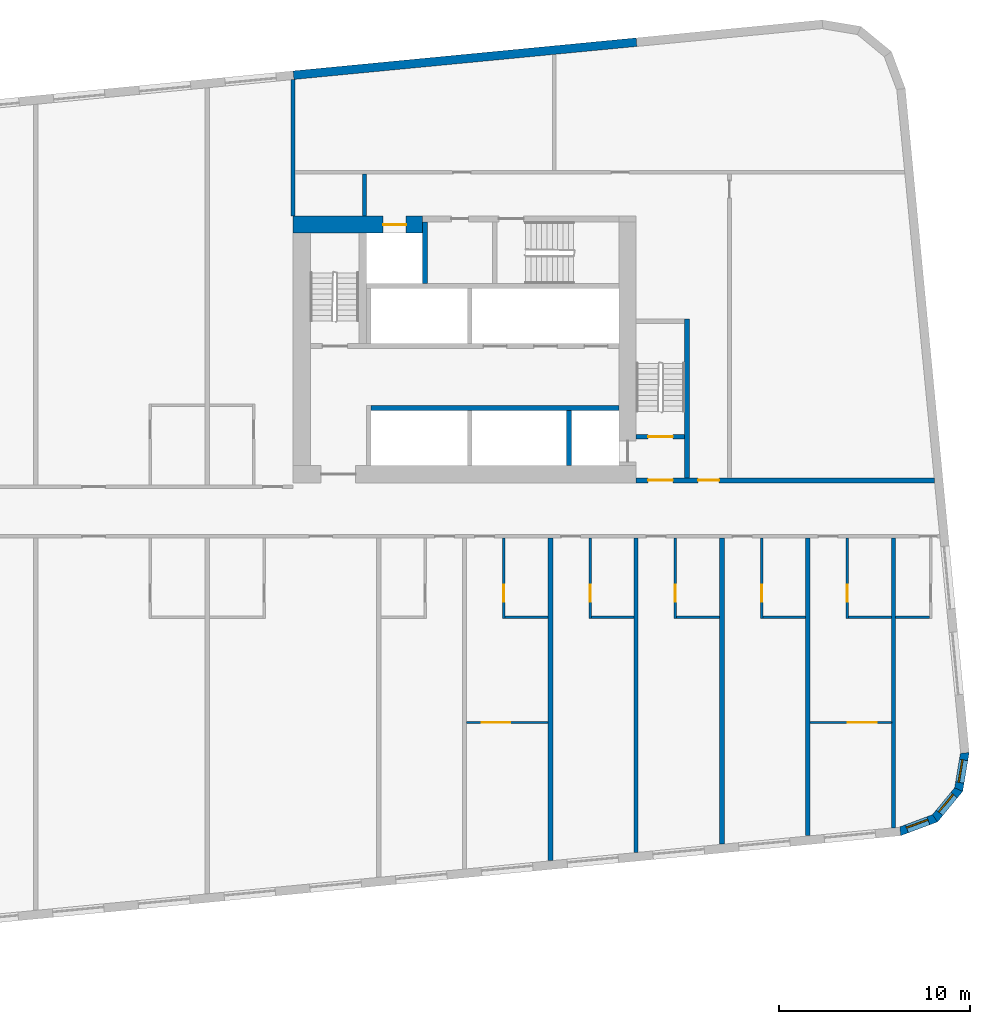
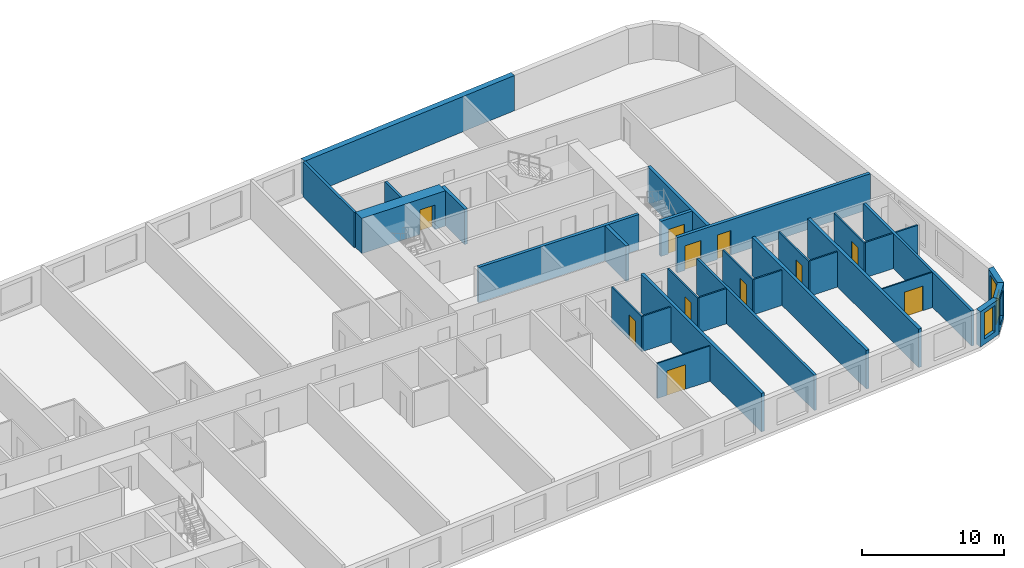
# One storey, part 7 of 12: 31 walls, 11 doors, 3 windows, 14 openings.
"""IFC4 building model written with IfcOpenShell, lengths in metres."""

from ifc_helpers import new_model, si_unit, direction, frame, frame_2d, origin, place, context, subcontext, project, spatial, polyline, rectangle, outline, extrude, material, layer, layer_set, type_object, element, fill, save


model = new_model("IFC4")

# Units and contexts
model_context = context("Model", 3, precision=1e-05, world=origin(), true_north=direction((0.0, 1.0)))
body_context = subcontext(model_context, "Body", "Model", "MODEL_VIEW")
ifc_project = project(units=[si_unit("LENGTHUNIT", "METRE"), si_unit("AREAUNIT", "SQUARE_METRE"), si_unit("VOLUMEUNIT", "CUBIC_METRE"), si_unit("PLANEANGLEUNIT", "RADIAN"), si_unit("MASSUNIT", "GRAM", prefix="KILO")], contexts=[model_context])

# Site, building, storey
site_placement = place(None, origin())
site = spatial("IfcSite", under=ifc_project, at=site_placement, CompositionType="ELEMENT")
building_placement = place(site_placement, origin())
building = spatial("IfcBuilding", under=site, at=building_placement, Name="Kajstack Hotel Tower", CompositionType="ELEMENT")
storey_placement = place(building_placement, frame((0.0, 0.0, 127.300048828125)))
storey = spatial("IfcBuildingStorey", under=building, at=storey_placement, Name="L28", CompositionType="ELEMENT", Elevation=127.300048828125)

# Wall, opening, door
ifc_material_1 = material(Name="Concrete C60/75", Category="concrete")
ifc_layer_1 = layer(ifc_material_1, 0.89990234375)
ifc_layer_set_1 = layer_set([ifc_layer_1], Name="Core wall 900")
wall_type_1 = type_object("IfcWallType", Name="Core wall 900", PredefinedType="SHEAR", material=ifc_layer_set_1)
wall_1_placement = place(storey_placement, frame((13.5, 15.050048828125, 0.0), z_axis=(0.0, 0.0, 1.0), x_axis=(1.0, 0.0, 0.0)))
wall_1 = element("IfcWall", 1, at=wall_1_placement, inside=storey, type_object=wall_type_1, Name="Core wall E RS", PredefinedType="SHEAR", context=body_context, shape_type="SweptSolid", body=[
    extrude(rectangle(XDim=6.800048828125, YDim=0.89990234375, at=frame_2d((3.39990234375, 0.0))), origin(), (0.0, 0.0, 1.0), 3.02001953125),
])
opening_1_placement = place(wall_1_placement, frame((4.72509765625, 0.0, 0.0)))
opening_1 = element("IfcOpeningElement", 2, at=opening_1_placement, cuts=wall_1, Name="Opening LD-SV2", PredefinedType="OPENING", context=body_context, shape_type="SweptSolid", body=[
    extrude(rectangle(XDim=1.199951171875, YDim=2.10009765625, at=frame_2d((0.60009765625, 1.050048828125))), frame((0.0, 0.4599609375, 0.0), z_axis=(0.0, -1.0, 0.0), x_axis=(1.0, 0.0, 0.0)), (0.0, 0.0, 1.0), 0.919921875),
])
ifc_material_2 = material(Name="Stainless steel", Category="steel")
door_type_1 = type_object("IfcDoorType", Name="Lift landing door 1200", OperationType="SLIDING_TO_LEFT", PredefinedType="DOOR", material=ifc_material_2)
door_1_placement = place(opening_1_placement, origin())
door_1 = element("IfcDoor", 3, at=door_1_placement, inside=storey, type_object=door_type_1, Name="Landing door SV2", OperationType="SLIDING_TO_LEFT", OverallHeight=2.10009765625, OverallWidth=1.199951171875, PredefinedType="DOOR", context=body_context, shape_type="SweptSolid", body=[
    extrude(rectangle(XDim=1.199951171875, YDim=2.10009765625, at=frame_2d((0.60009765625, 1.050048828125))), frame((0.0, 0.02490234375, 0.0), z_axis=(0.0, -1.0, 0.0), x_axis=(1.0, 0.0, 0.0)), (0.0, 0.0, 1.0), 0.050048828125),
])
fill(opening_1, door_1)

# Walls
ifc_material_3 = material(Name="Twin-frame gypsum board on steel studs, mineral wool", Category="steel")
ifc_layer_2 = layer(ifc_material_3, 0.199951171875)
ifc_layer_set_2 = layer_set([ifc_layer_2], Name="Demising wall 200")
wall_type_2 = type_object("IfcWallType", Name="Demising wall 200", PredefinedType="PARTITIONING", material=ifc_layer_set_2)
wall_2_placement = place(storey_placement, frame((13.5, 15.5, 0.0), z_axis=(0.0, 0.0, 1.0), x_axis=(0.0, 1.0, 0.0)))
element("IfcWall", 4, at=wall_2_placement, inside=storey, type_object=wall_type_2, Name="G-wall-L28-001", PredefinedType="PARTITIONING", context=body_context, shape_type="SweptSolid", body=[
    extrude(rectangle(XDim=7.162109375, YDim=0.199951171875, at=frame_2d((3.5810546875, 0.0))), origin(), (0.0, 0.0, 1.0), 3.02001953125),
])
wall_3_placement = place(storey_placement, frame((31.5, -17.89892578125, 0.0), z_axis=(0.0, 0.0, 1.0), x_axis=(0.0, 1.0, 0.0)))
element("IfcWall", 5, at=wall_3_placement, inside=storey, type_object=wall_type_2, Name="G-wall-L28-041", PredefinedType="PARTITIONING", context=body_context, shape_type="SweptSolid", body=[
    extrude(rectangle(XDim=16.4990234375, YDim=0.199951171875, at=frame_2d((8.24951171875, 0.0))), origin(), (0.0, 0.0, 1.0), 3.02001953125),
])
wall_4_placement = place(storey_placement, frame((45.0, -16.59912109375, 0.0), z_axis=(0.0, 0.0, 1.0), x_axis=(0.0, 1.0, 0.0)))
element("IfcWall", 6, at=wall_4_placement, inside=storey, type_object=wall_type_2, Name="G-wall-L28-048", PredefinedType="PARTITIONING", context=body_context, shape_type="SweptSolid", body=[
    extrude(rectangle(XDim=15.19921875, YDim=0.199951171875, at=frame_2d((7.599609375, 0.0))), origin(), (0.0, 0.0, 1.0), 3.02001953125),
])
ifc_material_4 = material(Name="Concrete C40/50", Category="concrete")
ifc_layer_3 = layer(ifc_material_4, 0.449951171875)
ifc_layer_set_3 = layer_set([ifc_layer_3], Name="EW-CORE")
wall_type_3 = type_object("IfcWallType", Name="EW-CORE", PredefinedType="SOLIDWALL", material=ifc_layer_set_3)
wall_5_placement = place(storey_placement, frame((31.521484375, 24.623291015625, 0.0), z_axis=(0.0, 0.0, 1.0), x_axis=(-0.995396454615, -0.095843091245, 0.0)))
element("IfcWall", 7, at=wall_5_placement, inside=storey, type_object=wall_type_3, Name="E-wall-L28-12-01", PredefinedType="SOLIDWALL", context=body_context, shape_type="SweptSolid", body=[
    extrude(rectangle(XDim=18.083251953125, YDim=0.449951171875, at=frame_2d((9.04150390625, 0.0))), origin(), (0.0, 0.0, 1.0), 3.02001953125),
])

# Wall, opening, window
ifc_material_5 = material(Name="Terracotta-faced brick masonry", Category="masonry")
ifc_layer_4 = layer(ifc_material_5, 0.449951171875)
ifc_layer_set_4 = layer_set([ifc_layer_4], Name="EW-TERRA")
wall_type_4 = type_object("IfcWallType", Name="EW-TERRA", PredefinedType="SOLIDWALL", material=ifc_layer_set_4)
wall_6_placement = place(storey_placement, frame((45.300048828125, -16.804443359375, 0.0), z_axis=(0.0, 0.0, 1.0), x_axis=(0.936677599948, 0.350192909346, 0.0)))
wall_6 = element("IfcWall", 8, at=wall_6_placement, inside=storey, type_object=wall_type_4, Name="E-wall-L28-05-00", PredefinedType="SOLIDWALL", context=body_context, shape_type="SweptSolid", body=[
    extrude(outline(polyline([(0.0, -0.224853515625), (2.070556640625, -0.224853515625), (1.949951171875, 0.22509765625), (0.12060546875, 0.22509765625), (0.0, -0.224853515625)])), origin(), (0.0, 0.0, 1.0), 3.02001953125),
])
opening_2_placement = place(wall_6_placement, frame((0.435302734375, 0.0, 0.449951171875)))
opening_2 = element("IfcOpeningElement", 9, at=opening_2_placement, cuts=wall_6, Name="Opening W3", PredefinedType="OPENING", context=body_context, shape_type="SweptSolid", body=[
    extrude(rectangle(XDim=1.199951171875, YDim=2.25, at=frame_2d((0.60009765625, 1.125))), frame((0.0, 0.23486328125, 0.0), z_axis=(0.0, -1.0, 0.0), x_axis=(1.0, 0.0, 0.0)), (0.0, 0.0, 1.0), 0.469970703125),
])
ifc_material_6 = material(Name="Timber-aluminium window, triple glazed", Category="wood")
window_type = type_object("IfcWindowType", Name="WG3", PartitioningType="SINGLE_PANEL", PredefinedType="WINDOW", material=ifc_material_6)
window_1_placement = place(opening_2_placement, origin())
window_1 = element("IfcWindow", 10, at=window_1_placement, inside=storey, type_object=window_type, Name="Window W3 L28-05", OverallHeight=2.25, OverallWidth=1.199951171875, PartitioningType="SINGLE_PANEL", PredefinedType="WINDOW", context=body_context, shape_type="SweptSolid", body=[
    extrude(rectangle(XDim=1.199951171875, YDim=2.25, at=frame_2d((0.60009765625, 1.125))), frame((0.0, 0.090087890625, 0.0), z_axis=(0.0, -1.0, 0.0), x_axis=(1.0, 0.0, 0.0)), (0.0, 0.0, 1.0), 0.06005859375),
])
fill(opening_2, window_1)

wall_7_placement = place(storey_placement, frame((47.144775390625, -16.14697265625, 0.0), z_axis=(0.0, 0.0, 1.0), x_axis=(0.635988241739, 0.771698747161, 0.0)))
wall_7 = element("IfcWall", 11, at=wall_7_placement, inside=storey, type_object=wall_type_4, Name="E-wall-L28-06-00", PredefinedType="SOLIDWALL", context=body_context, shape_type="SweptSolid", body=[
    extrude(outline(polyline([(0.0, -0.224853515625), (2.070556640625, -0.22509765625), (1.949951171875, 0.224853515625), (0.12060546875, 0.22509765625), (0.0, -0.224853515625)])), origin(), (0.0, 0.0, 1.0), 3.02001953125),
])
opening_3_placement = place(wall_7_placement, frame((0.435302734375, 0.0, 0.449951171875)))
opening_3 = element("IfcOpeningElement", 12, at=opening_3_placement, cuts=wall_7, Name="Opening W3", PredefinedType="OPENING", context=body_context, shape_type="SweptSolid", body=[
    extrude(rectangle(XDim=1.199951171875, YDim=2.25, at=frame_2d((0.60009765625, 1.125))), frame((0.0, 0.23486328125, 0.0), z_axis=(0.0, -1.0, 0.0), x_axis=(1.0, 0.0, 0.0)), (0.0, 0.0, 1.0), 0.469970703125),
])
window_2_placement = place(opening_3_placement, origin())
window_2 = element("IfcWindow", 13, at=window_2_placement, inside=storey, type_object=window_type, Name="Window W3 L28-06", OverallHeight=2.25, OverallWidth=1.199951171875, PartitioningType="SINGLE_PANEL", PredefinedType="WINDOW", context=body_context, shape_type="SweptSolid", body=[
    extrude(rectangle(XDim=1.199951171875, YDim=2.25, at=frame_2d((0.60009765625, 1.125))), frame((0.0, 0.090087890625, 0.0), z_axis=(0.0, -1.0, 0.0), x_axis=(1.0, 0.0, 0.0)), (0.0, 0.0, 1.0), 0.06005859375),
])
fill(opening_3, window_2)

wall_8_placement = place(storey_placement, frame((48.413330078125, -14.6552734375, 0.0), z_axis=(0.0, 0.0, 1.0), x_axis=(0.165068144653, 0.986282164302, 0.0)))
wall_8 = element("IfcWall", 14, at=wall_8_placement, inside=storey, type_object=wall_type_4, Name="E-wall-L28-07-00", PredefinedType="SOLIDWALL", context=body_context, shape_type="SweptSolid", body=[
    extrude(outline(polyline([(0.0, -0.22509765625), (2.07080078125, -0.224853515625), (1.9501953125, 0.22509765625), (0.12060546875, 0.224853515625), (0.0, -0.22509765625)])), origin(), (0.0, 0.0, 1.0), 3.02001953125),
])
opening_4_placement = place(wall_8_placement, frame((0.435302734375, 0.0, 0.449951171875)))
opening_4 = element("IfcOpeningElement", 15, at=opening_4_placement, cuts=wall_8, Name="Opening W3", PredefinedType="OPENING", context=body_context, shape_type="SweptSolid", body=[
    extrude(rectangle(XDim=1.199951171875, YDim=2.25, at=frame_2d((0.60009765625, 1.125))), frame((0.0, 0.23486328125, 0.0), z_axis=(0.0, -1.0, 0.0), x_axis=(1.0, 0.0, 0.0)), (0.0, 0.0, 1.0), 0.469970703125),
])
window_3_placement = place(opening_4_placement, origin())
window_3 = element("IfcWindow", 16, at=window_3_placement, inside=storey, type_object=window_type, Name="Window W3 L28-07", OverallHeight=2.25, OverallWidth=1.199951171875, PartitioningType="SINGLE_PANEL", PredefinedType="WINDOW", context=body_context, shape_type="SweptSolid", body=[
    extrude(rectangle(XDim=1.199951171875, YDim=2.25, at=frame_2d((0.60009765625, 1.125))), frame((0.0, 0.090087890625, 0.0), z_axis=(0.0, -1.0, 0.0), x_axis=(1.0, 0.0, 0.0)), (0.0, 0.0, 1.0), 0.06005859375),
])
fill(opening_4, window_3)

# Wall, opening, door
ifc_material_7 = material(Name="Gypsum board and tiled backer on steel studs", Category="steel")
ifc_layer_5 = layer(ifc_material_7, 0.125)
ifc_layer_set_5 = layer_set([ifc_layer_5], Name="En-suite wall 125")
wall_type_5 = type_object("IfcWallType", Name="En-suite wall 125", PredefinedType="PARTITIONING", material=ifc_layer_set_5)
wall_9_placement = place(storey_placement, frame((24.56201171875, -5.625, 0.0), z_axis=(0.0, 0.0, 1.0), x_axis=(0.0, 1.0, 0.0)))
wall_9 = element("IfcWall", 17, at=wall_9_placement, inside=storey, type_object=wall_type_5, Name="G-wall-L28-038", PredefinedType="PARTITIONING", context=body_context, shape_type="SweptSolid", body=[
    extrude(rectangle(XDim=4.22509765625, YDim=0.125, at=frame_2d((2.112548828125, 0.0))), origin(), (0.0, 0.0, 1.0), 3.02001953125),
])
opening_5_placement = place(wall_9_placement, frame((0.875, 0.0, 0.0)))
opening_5 = element("IfcOpeningElement", 18, at=opening_5_placement, cuts=wall_9, Name="Opening 28032", PredefinedType="OPENING", context=body_context, shape_type="SweptSolid", body=[
    extrude(rectangle(XDim=0.89990234375, YDim=2.10009765625, at=frame_2d((0.449951171875, 1.050048828125))), frame((0.0, 0.072509765625, 0.0), z_axis=(0.0, -1.0, 0.0), x_axis=(1.0, 0.0, 0.0)), (0.0, 0.0, 1.0), 0.14501953125),
])
ifc_material_8 = material(Name="Painted timber door leaf", Category="wood")
door_type_2 = type_object("IfcDoorType", Name="Room door 900", OperationType="SINGLE_SWING_LEFT", PredefinedType="DOOR", material=ifc_material_8)
door_2_placement = place(opening_5_placement, origin())
door_2 = element("IfcDoor", 19, at=door_2_placement, inside=storey, type_object=door_type_2, Name="G-door-L28-32", OperationType="SINGLE_SWING_LEFT", OverallHeight=2.10009765625, OverallWidth=0.89990234375, PredefinedType="DOOR", context=body_context, shape_type="SweptSolid", body=[
    extrude(rectangle(XDim=0.89990234375, YDim=2.10009765625, at=frame_2d((0.449951171875, 1.050048828125))), frame((0.0, 0.02490234375, 0.0), z_axis=(0.0, -1.0, 0.0), x_axis=(1.0, 0.0, 0.0)), (0.0, 0.0, 1.0), 0.050048828125),
])
fill(opening_5, door_2)

# Wall
wall_10_placement = place(storey_placement, frame((24.625, -5.56201171875, 0.0), z_axis=(0.0, 0.0, 1.0), x_axis=(1.0, 0.0, 0.0)))
element("IfcWall", 20, at=wall_10_placement, inside=storey, type_object=wall_type_5, Name="G-wall-L28-039", PredefinedType="PARTITIONING", context=body_context, shape_type="SweptSolid", body=[
    extrude(rectangle(XDim=2.25, YDim=0.125, at=frame_2d((1.125, 0.0))), origin(), (0.0, 0.0, 1.0), 3.02001953125),
])

# Wall, opening, door
wall_11_placement = place(storey_placement, frame((29.0869140625, -5.625, 0.0), z_axis=(0.0, 0.0, 1.0), x_axis=(0.0, 1.0, 0.0)))
wall_11 = element("IfcWall", 21, at=wall_11_placement, inside=storey, type_object=wall_type_5, Name="G-wall-L28-042", PredefinedType="PARTITIONING", context=body_context, shape_type="SweptSolid", body=[
    extrude(rectangle(XDim=4.22509765625, YDim=0.125, at=frame_2d((2.112548828125, 0.0))), origin(), (0.0, 0.0, 1.0), 3.02001953125),
])
opening_6_placement = place(wall_11_placement, frame((0.875, 0.0, 0.0)))
opening_6 = element("IfcOpeningElement", 22, at=opening_6_placement, cuts=wall_11, Name="Opening 28035", PredefinedType="OPENING", context=body_context, shape_type="SweptSolid", body=[
    extrude(rectangle(XDim=0.89990234375, YDim=2.10009765625, at=frame_2d((0.449951171875, 1.050048828125))), frame((0.0, 0.072509765625, 0.0), z_axis=(0.0, -1.0, 0.0), x_axis=(1.0, 0.0, 0.0)), (0.0, 0.0, 1.0), 0.14501953125),
])
door_3_placement = place(opening_6_placement, origin())
door_3 = element("IfcDoor", 23, at=door_3_placement, inside=storey, type_object=door_type_2, Name="G-door-L28-35", OperationType="SINGLE_SWING_LEFT", OverallHeight=2.10009765625, OverallWidth=0.89990234375, PredefinedType="DOOR", context=body_context, shape_type="SweptSolid", body=[
    extrude(rectangle(XDim=0.89990234375, YDim=2.10009765625, at=frame_2d((0.449951171875, 1.050048828125))), frame((0.0, 0.02490234375, 0.0), z_axis=(0.0, -1.0, 0.0), x_axis=(1.0, 0.0, 0.0)), (0.0, 0.0, 1.0), 0.050048828125),
])
fill(opening_6, door_3)

# Wall
wall_12_placement = place(storey_placement, frame((29.14990234375, -5.56201171875, 0.0), z_axis=(0.0, 0.0, 1.0), x_axis=(1.0, 0.0, 0.0)))
element("IfcWall", 24, at=wall_12_placement, inside=storey, type_object=wall_type_5, Name="G-wall-L28-043", PredefinedType="PARTITIONING", context=body_context, shape_type="SweptSolid", body=[
    extrude(rectangle(XDim=2.25, YDim=0.125, at=frame_2d((1.125, 0.0))), origin(), (0.0, 0.0, 1.0), 3.02001953125),
])

# Wall, opening, door
wall_13_placement = place(storey_placement, frame((33.56201171875, -5.625, 0.0), z_axis=(0.0, 0.0, 1.0), x_axis=(0.0, 1.0, 0.0)))
wall_13 = element("IfcWall", 25, at=wall_13_placement, inside=storey, type_object=wall_type_5, Name="G-wall-L28-044", PredefinedType="PARTITIONING", context=body_context, shape_type="SweptSolid", body=[
    extrude(rectangle(XDim=4.22509765625, YDim=0.125, at=frame_2d((2.112548828125, 0.0))), origin(), (0.0, 0.0, 1.0), 3.02001953125),
])
opening_7_placement = place(wall_13_placement, frame((0.875, 0.0, 0.0)))
opening_7 = element("IfcOpeningElement", 26, at=opening_7_placement, cuts=wall_13, Name="Opening 28037", PredefinedType="OPENING", context=body_context, shape_type="SweptSolid", body=[
    extrude(rectangle(XDim=0.89990234375, YDim=2.10009765625, at=frame_2d((0.449951171875, 1.050048828125))), frame((0.0, 0.072509765625, 0.0), z_axis=(0.0, -1.0, 0.0), x_axis=(1.0, 0.0, 0.0)), (0.0, 0.0, 1.0), 0.14501953125),
])
door_4_placement = place(opening_7_placement, origin())
door_4 = element("IfcDoor", 27, at=door_4_placement, inside=storey, type_object=door_type_2, Name="G-door-L28-37", OperationType="SINGLE_SWING_LEFT", OverallHeight=2.10009765625, OverallWidth=0.89990234375, PredefinedType="DOOR", context=body_context, shape_type="SweptSolid", body=[
    extrude(rectangle(XDim=0.89990234375, YDim=2.10009765625, at=frame_2d((0.449951171875, 1.050048828125))), frame((0.0, 0.02490234375, 0.0), z_axis=(0.0, -1.0, 0.0), x_axis=(1.0, 0.0, 0.0)), (0.0, 0.0, 1.0), 0.050048828125),
])
fill(opening_7, door_4)

# Wall
wall_14_placement = place(storey_placement, frame((33.625, -5.56201171875, 0.0), z_axis=(0.0, 0.0, 1.0), x_axis=(1.0, 0.0, 0.0)))
element("IfcWall", 28, at=wall_14_placement, inside=storey, type_object=wall_type_5, Name="G-wall-L28-045", PredefinedType="PARTITIONING", context=body_context, shape_type="SweptSolid", body=[
    extrude(rectangle(XDim=2.25, YDim=0.125, at=frame_2d((1.125, 0.0))), origin(), (0.0, 0.0, 1.0), 3.02001953125),
])

# Wall, opening, door
wall_15_placement = place(storey_placement, frame((38.0869140625, -5.625, 0.0), z_axis=(0.0, 0.0, 1.0), x_axis=(0.0, 1.0, 0.0)))
wall_15 = element("IfcWall", 29, at=wall_15_placement, inside=storey, type_object=wall_type_5, Name="G-wall-L28-046", PredefinedType="PARTITIONING", context=body_context, shape_type="SweptSolid", body=[
    extrude(rectangle(XDim=4.22509765625, YDim=0.125, at=frame_2d((2.112548828125, 0.0))), origin(), (0.0, 0.0, 1.0), 3.02001953125),
])
opening_8_placement = place(wall_15_placement, frame((0.875, 0.0, 0.0)))
opening_8 = element("IfcOpeningElement", 30, at=opening_8_placement, cuts=wall_15, Name="Opening 28039", PredefinedType="OPENING", context=body_context, shape_type="SweptSolid", body=[
    extrude(rectangle(XDim=0.89990234375, YDim=2.10009765625, at=frame_2d((0.449951171875, 1.050048828125))), frame((0.0, 0.072509765625, 0.0), z_axis=(0.0, -1.0, 0.0), x_axis=(1.0, 0.0, 0.0)), (0.0, 0.0, 1.0), 0.14501953125),
])
door_5_placement = place(opening_8_placement, origin())
door_5 = element("IfcDoor", 31, at=door_5_placement, inside=storey, type_object=door_type_2, Name="G-door-L28-39", OperationType="SINGLE_SWING_LEFT", OverallHeight=2.10009765625, OverallWidth=0.89990234375, PredefinedType="DOOR", context=body_context, shape_type="SweptSolid", body=[
    extrude(rectangle(XDim=0.89990234375, YDim=2.10009765625, at=frame_2d((0.449951171875, 1.050048828125))), frame((0.0, 0.02490234375, 0.0), z_axis=(0.0, -1.0, 0.0), x_axis=(1.0, 0.0, 0.0)), (0.0, 0.0, 1.0), 0.050048828125),
])
fill(opening_8, door_5)

# Wall
wall_16_placement = place(storey_placement, frame((38.14990234375, -5.56201171875, 0.0), z_axis=(0.0, 0.0, 1.0), x_axis=(1.0, 0.0, 0.0)))
element("IfcWall", 32, at=wall_16_placement, inside=storey, type_object=wall_type_5, Name="G-wall-L28-047", PredefinedType="PARTITIONING", context=body_context, shape_type="SweptSolid", body=[
    extrude(rectangle(XDim=2.22509765625, YDim=0.125, at=frame_2d((1.112548828125, 0.0))), origin(), (0.0, 0.0, 1.0), 3.02001953125),
])

# Wall, opening, door
wall_17_placement = place(storey_placement, frame((42.5869140625, -5.625, 0.0), z_axis=(0.0, 0.0, 1.0), x_axis=(0.0, 1.0, 0.0)))
wall_17 = element("IfcWall", 33, at=wall_17_placement, inside=storey, type_object=wall_type_5, Name="G-wall-L28-049", PredefinedType="PARTITIONING", context=body_context, shape_type="SweptSolid", body=[
    extrude(rectangle(XDim=4.22509765625, YDim=0.125, at=frame_2d((2.112548828125, 0.0))), origin(), (0.0, 0.0, 1.0), 3.02001953125),
])
opening_9_placement = place(wall_17_placement, frame((0.875, 0.0, 0.0)))
opening_9 = element("IfcOpeningElement", 34, at=opening_9_placement, cuts=wall_17, Name="Opening 28041", PredefinedType="OPENING", context=body_context, shape_type="SweptSolid", body=[
    extrude(rectangle(XDim=0.89990234375, YDim=2.10009765625, at=frame_2d((0.449951171875, 1.050048828125))), frame((0.0, 0.072509765625, 0.0), z_axis=(0.0, -1.0, 0.0), x_axis=(1.0, 0.0, 0.0)), (0.0, 0.0, 1.0), 0.14501953125),
])
door_6_placement = place(opening_9_placement, origin())
door_6 = element("IfcDoor", 35, at=door_6_placement, inside=storey, type_object=door_type_2, Name="G-door-L28-41", OperationType="SINGLE_SWING_LEFT", OverallHeight=2.10009765625, OverallWidth=0.89990234375, PredefinedType="DOOR", context=body_context, shape_type="SweptSolid", body=[
    extrude(rectangle(XDim=0.89990234375, YDim=2.10009765625, at=frame_2d((0.449951171875, 1.050048828125))), frame((0.0, 0.02490234375, 0.0), z_axis=(0.0, -1.0, 0.0), x_axis=(1.0, 0.0, 0.0)), (0.0, 0.0, 1.0), 0.050048828125),
])
fill(opening_9, door_6)

# Walls
wall_18_placement = place(storey_placement, frame((42.64990234375, -5.56201171875, 0.0), z_axis=(0.0, 0.0, 1.0), x_axis=(1.0, 0.0, 0.0)))
element("IfcWall", 36, at=wall_18_placement, inside=storey, type_object=wall_type_5, Name="G-wall-L28-050", PredefinedType="PARTITIONING", context=body_context, shape_type="SweptSolid", body=[
    extrude(rectangle(XDim=2.25, YDim=0.125, at=frame_2d((1.125, 0.0))), origin(), (0.0, 0.0, 1.0), 3.02001953125),
])
wall_19_placement = place(storey_placement, frame((45.10009765625, -5.56201171875, 0.0), z_axis=(0.0, 0.0, 1.0), x_axis=(1.0, 0.0, 0.0)))
element("IfcWall", 37, at=wall_19_placement, inside=storey, type_object=wall_type_5, Name="G-wall-L28-053", PredefinedType="PARTITIONING", context=body_context, shape_type="SweptSolid", body=[
    extrude(rectangle(XDim=1.7998046875, YDim=0.125, at=frame_2d((0.89990234375, 0.0))), origin(), (0.0, 0.0, 1.0), 3.02001953125),
])

# Wall, opening, door
ifc_material_9 = material(Name="Gypsum board on steel studs", Category="steel")
ifc_layer_6 = layer(ifc_material_9, 0.10009765625)
ifc_layer_set_6 = layer_set([ifc_layer_6], Name="Partition 100")
wall_type_6 = type_object("IfcWallType", Name="Partition 100", PredefinedType="PARTITIONING", material=ifc_layer_set_6)
wall_20_placement = place(storey_placement, frame((22.60009765625, -11.074951171875, 0.0), z_axis=(0.0, 0.0, 1.0), x_axis=(1.0, 0.0, 0.0)))
wall_20 = element("IfcWall", 38, at=wall_20_placement, inside=storey, type_object=wall_type_6, Name="G-wall-L28-040", PredefinedType="PARTITIONING", context=body_context, shape_type="SweptSolid", body=[
    extrude(rectangle(XDim=4.27490234375, YDim=0.10009765625, at=frame_2d((2.137451171875, 0.0))), origin(), (0.0, 0.0, 1.0), 3.02001953125),
])
opening_10_placement = place(wall_20_placement, frame((0.787109375, 0.0, 0.0)))
opening_10 = element("IfcOpeningElement", 39, at=opening_10_placement, cuts=wall_20, Name="Opening 28033", PredefinedType="OPENING", context=body_context, shape_type="SweptSolid", body=[
    extrude(rectangle(XDim=1.5, YDim=2.10009765625, at=frame_2d((0.75, 1.050048828125))), frame((0.0, 0.06005859375, 0.0), z_axis=(0.0, -1.0, 0.0), x_axis=(1.0, 0.0, 0.0)), (0.0, 0.0, 1.0), 0.1201171875),
])
ifc_material_10 = material(Name="Painted timber door leaves, glazed panels", Category="wood")
door_type_3 = type_object("IfcDoorType", Name="Double door 1500", OperationType="SINGLE_SWING_LEFT", PredefinedType="DOOR", material=ifc_material_10)
door_7_placement = place(opening_10_placement, origin())
door_7 = element("IfcDoor", 40, at=door_7_placement, inside=storey, type_object=door_type_3, Name="G-door-L28-33", OperationType="SINGLE_SWING_RIGHT", OverallHeight=2.10009765625, OverallWidth=1.5, PredefinedType="DOOR", context=body_context, shape_type="SweptSolid", body=[
    extrude(rectangle(XDim=1.5, YDim=2.10009765625, at=frame_2d((0.75, 1.050048828125))), frame((0.0, 0.02490234375, 0.0), z_axis=(0.0, -1.0, 0.0), x_axis=(1.0, 0.0, 0.0)), (0.0, 0.0, 1.0), 0.050048828125),
])
fill(opening_10, door_7)

wall_21_placement = place(storey_placement, frame((40.625, -11.074951171875, 0.0), z_axis=(0.0, 0.0, 1.0), x_axis=(1.0, 0.0, 0.0)))
wall_21 = element("IfcWall", 41, at=wall_21_placement, inside=storey, type_object=wall_type_6, Name="G-wall-L28-051", PredefinedType="PARTITIONING", context=body_context, shape_type="SweptSolid", body=[
    extrude(rectangle(XDim=4.27490234375, YDim=0.10009765625, at=frame_2d((2.137451171875, 0.0))), origin(), (0.0, 0.0, 1.0), 3.02001953125),
])
opening_11_placement = place(wall_21_placement, frame((1.988037109375, 0.0, 0.0)))
opening_11 = element("IfcOpeningElement", 42, at=opening_11_placement, cuts=wall_21, Name="Opening 28042", PredefinedType="OPENING", context=body_context, shape_type="SweptSolid", body=[
    extrude(rectangle(XDim=1.5, YDim=2.10009765625, at=frame_2d((0.75, 1.050048828125))), frame((0.0, 0.06005859375, 0.0), z_axis=(0.0, -1.0, 0.0), x_axis=(1.0, 0.0, 0.0)), (0.0, 0.0, 1.0), 0.1201171875),
])
door_8_placement = place(opening_11_placement, origin())
door_8 = element("IfcDoor", 43, at=door_8_placement, inside=storey, type_object=door_type_3, Name="G-door-L28-42", OperationType="SINGLE_SWING_LEFT", OverallHeight=2.10009765625, OverallWidth=1.5, PredefinedType="DOOR", context=body_context, shape_type="SweptSolid", body=[
    extrude(rectangle(XDim=1.5, YDim=2.10009765625, at=frame_2d((0.75, 1.050048828125))), frame((0.0, 0.02490234375, 0.0), z_axis=(0.0, -1.0, 0.0), x_axis=(1.0, 0.0, 0.0)), (0.0, 0.0, 1.0), 0.050048828125),
])
fill(opening_11, door_8)

# Walls
ifc_material_11 = material(Name="Concrete C55/67", Category="concrete")
ifc_layer_7 = layer(ifc_material_11, 0.25)
ifc_layer_set_7 = layer_set([ifc_layer_7], Name="RC cross wall 250 C55/67")
wall_type_7 = type_object("IfcWallType", Name="RC cross wall 250 C55/67", PredefinedType="SHEAR", material=ifc_layer_set_7)
wall_22_placement = place(storey_placement, frame((27.0, -18.310546875, 0.0), z_axis=(0.0, 0.0, 1.0), x_axis=(0.0, 1.0, 0.0)))
element("IfcWall", 44, at=wall_22_placement, inside=storey, type_object=wall_type_7, Name="S-wall-L28-11", PredefinedType="SHEAR", context=body_context, shape_type="SweptSolid", body=[
    extrude(rectangle(XDim=16.91064453125, YDim=0.25, at=frame_2d((8.455322265625, 0.0))), origin(), (0.0, 0.0, 1.0), 3.300048828125),
])
wall_23_placement = place(storey_placement, frame((36.0, -17.444091796875, 0.0), z_axis=(0.0, 0.0, 1.0), x_axis=(0.0, 1.0, 0.0)))
element("IfcWall", 45, at=wall_23_placement, inside=storey, type_object=wall_type_7, Name="S-wall-L28-12", PredefinedType="SHEAR", context=body_context, shape_type="SweptSolid", body=[
    extrude(rectangle(XDim=16.044189453125, YDim=0.25, at=frame_2d((8.02197265625, 0.0))), origin(), (0.0, 0.0, 1.0), 3.300048828125),
])
wall_24_placement = place(storey_placement, frame((40.5, -17.0107421875, 0.0), z_axis=(0.0, 0.0, 1.0), x_axis=(0.0, 1.0, 0.0)))
element("IfcWall", 46, at=wall_24_placement, inside=storey, type_object=wall_type_7, Name="S-wall-L28-13", PredefinedType="SHEAR", context=body_context, shape_type="SweptSolid", body=[
    extrude(rectangle(XDim=15.61083984375, YDim=0.25, at=frame_2d((7.805419921875, 0.0))), origin(), (0.0, 0.0, 1.0), 3.300048828125),
])

# Wall, openings, doors
ifc_material_12 = material(Name="Gypsum board on steel studs, mineral wool", Category="steel")
ifc_layer_8 = layer(ifc_material_12, 0.199951171875)
ifc_layer_set_8 = layer_set([ifc_layer_8], Name="Service partition 200")
wall_type_8 = type_object("IfcWallType", Name="Service partition 200", PredefinedType="PARTITIONING", material=ifc_layer_set_8)
wall_25_placement = place(storey_placement, frame((31.5, 1.625, 0.0), z_axis=(0.0, 0.0, 1.0), x_axis=(1.0, 0.0, 0.0)))
wall_25 = element("IfcWall", 47, at=wall_25_placement, inside=storey, type_object=wall_type_8, Name="Partition E SN", PredefinedType="PARTITIONING", context=body_context, shape_type="SweptSolid", body=[
    extrude(rectangle(XDim=15.650390625, YDim=0.25, at=frame_2d((7.8251953125, 0.0))), origin(), (0.0, 0.0, 1.0), 3.02001953125),
])
opening_12_placement = place(wall_25_placement, frame((0.625, 0.0, 0.0)))
opening_12 = element("IfcOpeningElement", 48, at=opening_12_placement, cuts=wall_25, Name="Opening 28E07", PredefinedType="OPENING", context=body_context, shape_type="SweptSolid", body=[
    extrude(rectangle(XDim=1.300048828125, YDim=2.10009765625, at=frame_2d((0.64990234375, 1.050048828125))), frame((0.0, 0.135009765625, 0.0), z_axis=(0.0, -1.0, 0.0), x_axis=(1.0, 0.0, 0.0)), (0.0, 0.0, 1.0), 0.27001953125),
])
opening_13_placement = place(wall_25_placement, frame((3.25, 0.0, 0.0)))
opening_13 = element("IfcOpeningElement", 49, at=opening_13_placement, cuts=wall_25, Name="Opening 28E09", PredefinedType="OPENING", context=body_context, shape_type="SweptSolid", body=[
    extrude(rectangle(XDim=1.10009765625, YDim=2.10009765625, at=frame_2d((0.550048828125, 1.050048828125))), frame((0.0, 0.135009765625, 0.0), z_axis=(0.0, -1.0, 0.0), x_axis=(1.0, 0.0, 0.0)), (0.0, 0.0, 1.0), 0.27001953125),
])
ifc_material_13 = material(Name="Steel leaf, fire-rated", Category="steel")
door_type_4 = type_object("IfcDoorType", Name="Fire lobby door 1300", OperationType="SINGLE_SWING_LEFT", PredefinedType="DOOR", material=ifc_material_13)
door_9_placement = place(opening_12_placement, origin())
door_9 = element("IfcDoor", 50, at=door_9_placement, inside=storey, type_object=door_type_4, Name="Door 28E07", OperationType="SINGLE_SWING_LEFT", OverallHeight=2.10009765625, OverallWidth=1.300048828125, PredefinedType="DOOR", context=body_context, shape_type="SweptSolid", body=[
    extrude(rectangle(XDim=1.300048828125, YDim=2.10009765625, at=frame_2d((0.64990234375, 1.050048828125))), frame((0.0, 0.02490234375, 0.0), z_axis=(0.0, -1.0, 0.0), x_axis=(1.0, 0.0, 0.0)), (0.0, 0.0, 1.0), 0.050048828125),
])
fill(opening_12, door_9)
ifc_material_14 = material(Name="Timber leaf, fire-rated", Category="wood")
door_type_5 = type_object("IfcDoorType", Name="Service corridor door 1100", OperationType="SINGLE_SWING_LEFT", PredefinedType="DOOR", material=ifc_material_14)
door_10_placement = place(opening_13_placement, origin())
door_10 = element("IfcDoor", 51, at=door_10_placement, inside=storey, type_object=door_type_5, Name="Door 28E09", OperationType="SINGLE_SWING_LEFT", OverallHeight=2.10009765625, OverallWidth=1.10009765625, PredefinedType="DOOR", context=body_context, shape_type="SweptSolid", body=[
    extrude(rectangle(XDim=1.10009765625, YDim=2.10009765625, at=frame_2d((0.550048828125, 1.050048828125))), frame((0.0, 0.02490234375, 0.0), z_axis=(0.0, -1.0, 0.0), x_axis=(1.0, 0.0, 0.0)), (0.0, 0.0, 1.0), 0.050048828125),
])
fill(opening_13, door_10)

# Walls
wall_26_placement = place(storey_placement, frame((17.25, 15.5, 0.0), z_axis=(0.0, 0.0, 1.0), x_axis=(0.0, 1.0, 0.0)))
element("IfcWall", 52, at=wall_26_placement, inside=storey, type_object=wall_type_8, Name="Partition E SCE", PredefinedType="PARTITIONING", context=body_context, shape_type="SweptSolid", body=[
    extrude(rectangle(XDim=2.199951171875, YDim=0.199951171875, at=frame_2d((1.10009765625, 0.0))), origin(), (0.0, 0.0, 1.0), 3.02001953125),
])
ifc_material_15 = material(Name="Concrete C50/60", Category="concrete")
ifc_layer_9 = layer(ifc_material_15, 0.25)
ifc_layer_set_9 = layer_set([ifc_layer_9], Name="Shaft wall 250")
wall_type_9 = type_object("IfcWallType", Name="Shaft wall 250", PredefinedType="SHEAR", material=ifc_layer_set_9)
wall_27_placement = place(storey_placement, frame((17.60009765625, 5.425048828125, 0.0), z_axis=(0.0, 0.0, 1.0), x_axis=(1.0, 0.0, 0.0)))
element("IfcWall", 53, at=wall_27_placement, inside=storey, type_object=wall_type_9, Name="Core wall E FA", PredefinedType="SHEAR", context=body_context, shape_type="SweptSolid", body=[
    extrude(rectangle(XDim=13.0, YDim=0.25, at=frame_2d((6.5, 0.0))), origin(), (0.0, 0.0, 1.0), 3.02001953125),
])
wall_28_placement = place(storey_placement, frame((27.97509765625, 2.39990234375, 0.0), z_axis=(0.0, 0.0, 1.0), x_axis=(0.0, 1.0, 0.0)))
element("IfcWall", 54, at=wall_28_placement, inside=storey, type_object=wall_type_9, Name="Core wall E AP0", PredefinedType="SHEAR", context=body_context, shape_type="SweptSolid", body=[
    extrude(rectangle(XDim=2.900146484375, YDim=0.25, at=frame_2d((1.4501953125, 0.0))), origin(), (0.0, 0.0, 1.0), 3.02001953125),
])
wall_29_placement = place(storey_placement, frame((20.425048828125, 11.949951171875, 0.0), z_axis=(0.0, 0.0, 1.0), x_axis=(0.0, 1.0, 0.0)))
element("IfcWall", 55, at=wall_29_placement, inside=storey, type_object=wall_type_9, Name="Core wall E SVW", PredefinedType="SHEAR", context=body_context, shape_type="SweptSolid", body=[
    extrude(rectangle(XDim=3.25, YDim=0.25, at=frame_2d((1.625, 0.0))), origin(), (0.0, 0.0, 1.0), 3.02001953125),
])

# Wall, opening, door
ifc_layer_10 = layer(ifc_material_4, 0.25)
ifc_layer_set_10 = layer_set([ifc_layer_10], Name="Stair enclosure wall 250")
wall_type_10 = type_object("IfcWallType", Name="Stair enclosure wall 250", PredefinedType="SHEAR", material=ifc_layer_set_10)
wall_30_placement = place(storey_placement, frame((31.5, 3.925048828125, 0.0), z_axis=(0.0, 0.0, 1.0), x_axis=(1.0, 0.0, 0.0)))
wall_30 = element("IfcWall", 56, at=wall_30_placement, inside=storey, type_object=wall_type_10, Name="Core wall E W1N", PredefinedType="SHEAR", context=body_context, shape_type="SweptSolid", body=[
    extrude(rectangle(XDim=2.550048828125, YDim=0.25, at=frame_2d((1.27490234375, 0.0))), origin(), (0.0, 0.0, 1.0), 3.02001953125),
])
opening_14_placement = place(wall_30_placement, frame((0.625, 0.0, 0.0)))
opening_14 = element("IfcOpeningElement", 57, at=opening_14_placement, cuts=wall_30, Name="Opening 28E08", PredefinedType="OPENING", context=body_context, shape_type="SweptSolid", body=[
    extrude(rectangle(XDim=1.300048828125, YDim=2.10009765625, at=frame_2d((0.64990234375, 1.050048828125))), frame((0.0, 0.135009765625, 0.0), z_axis=(0.0, -1.0, 0.0), x_axis=(1.0, 0.0, 0.0)), (0.0, 0.0, 1.0), 0.27001953125),
])
door_type_6 = type_object("IfcDoorType", Name="Stair door 1300", OperationType="SINGLE_SWING_LEFT", PredefinedType="DOOR", material=ifc_material_13)
door_11_placement = place(opening_14_placement, origin())
door_11 = element("IfcDoor", 58, at=door_11_placement, inside=storey, type_object=door_type_6, Name="Door 28E08", OperationType="SINGLE_SWING_LEFT", OverallHeight=2.10009765625, OverallWidth=1.300048828125, PredefinedType="DOOR", context=body_context, shape_type="SweptSolid", body=[
    extrude(rectangle(XDim=1.300048828125, YDim=2.10009765625, at=frame_2d((0.64990234375, 1.050048828125))), frame((0.0, 0.02490234375, 0.0), z_axis=(0.0, -1.0, 0.0), x_axis=(1.0, 0.0, 0.0)), (0.0, 0.0, 1.0), 0.050048828125),
])
fill(opening_14, door_11)

# Wall
wall_31_placement = place(storey_placement, frame((34.175048828125, 1.75, 0.0), z_axis=(0.0, 0.0, 1.0), x_axis=(0.0, 1.0, 0.0)))
element("IfcWall", 59, at=wall_31_placement, inside=storey, type_object=wall_type_10, Name="Core wall E W1W", PredefinedType="SHEAR", context=body_context, shape_type="SweptSolid", body=[
    extrude(rectangle(XDim=8.35009765625, YDim=0.25, at=frame_2d((4.175048828125, 0.0))), origin(), (0.0, 0.0, 1.0), 3.02001953125),
])

save(model, "model.ifc")
